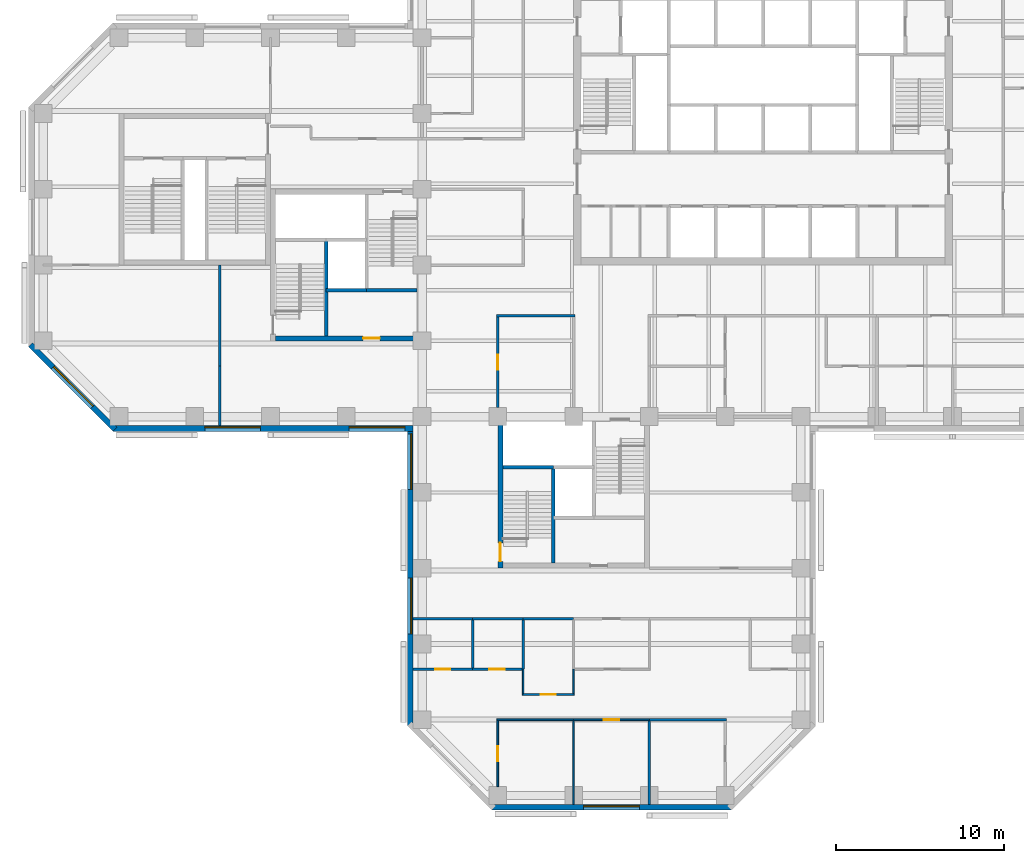
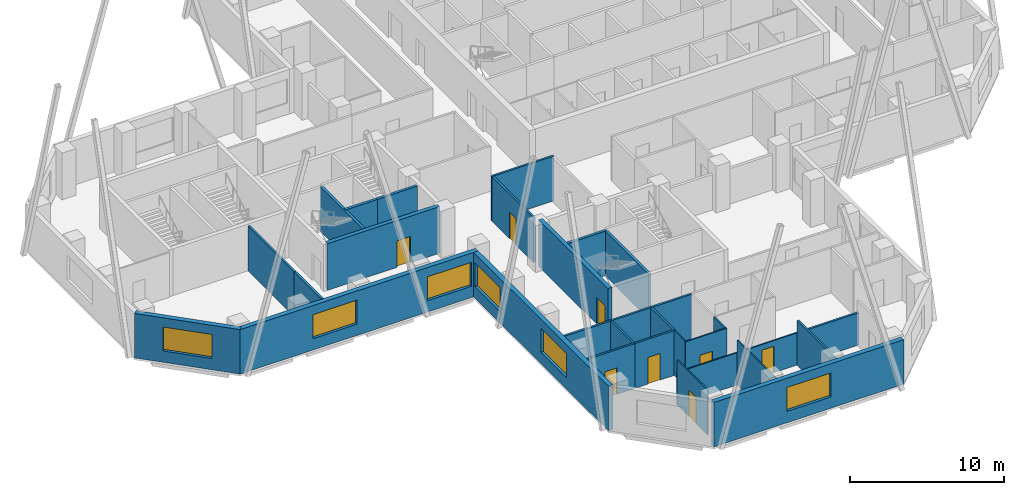
# One storey, part 3 of 11: 31 walls, 8 doors, 6 windows, 14 openings.
"""IFC4 building model written with IfcOpenShell, lengths in metres."""

from ifc_helpers import new_model, si_unit, direction, frame, frame_2d, origin, place, context, subcontext, project, spatial, rectangle, extrude, material, layer, layer_set, constituent, constituent_set, type_object, element, fill, save


model = new_model("IFC4")

# Units and contexts
model_context = context("Model", 3, precision=1e-05, world=origin(), true_north=direction((0.0, 1.0)))
body_context = subcontext(model_context, "Body", "Model", "MODEL_VIEW")
ifc_project = project(units=[si_unit("LENGTHUNIT", "METRE"), si_unit("AREAUNIT", "SQUARE_METRE"), si_unit("VOLUMEUNIT", "CUBIC_METRE"), si_unit("PLANEANGLEUNIT", "RADIAN"), si_unit("MASSUNIT", "GRAM", prefix="KILO")], contexts=[model_context])

# Site, building, storey
site_placement = place(None, origin())
site = spatial("IfcSite", under=ifc_project, at=site_placement, CompositionType="ELEMENT")
building_placement = place(site_placement, origin())
building = spatial("IfcBuilding", under=site, at=building_placement, Name="Quoin Convention Tower", CompositionType="ELEMENT")
storey_placement = place(building_placement, frame((0.0, 0.0, 127.0)))
storey = spatial("IfcBuildingStorey", under=building, at=storey_placement, Name="L33", CompositionType="ELEMENT", Elevation=127.0)

# Walls
ifc_material_1 = material(Name="Plasterboard")
ifc_layer_1 = layer(ifc_material_1, 0.012451171875, Name="Finish")
ifc_material_2 = material(Name="Steel stud framing", Category="steel")
ifc_layer_2 = layer(ifc_material_2, 0.125, Name="Structure")
ifc_layer_3 = layer(ifc_material_1, 0.012451171875, Name="Finish")
ifc_layer_set_1 = layer_set([ifc_layer_1, ifc_layer_2, ifc_layer_3], Name="Steel stud framing")
wall_type_1 = type_object("IfcWallType", Name="Acoustic partition 150", PredefinedType="PARTITIONING", material=ifc_layer_set_1)
wall_1_placement = place(storey_placement, frame((49.5, 17.47509765625, 0.0), z_axis=(0.0, 0.0, 1.0), x_axis=(0.0, 1.0, 0.0)))
element("IfcWall", 1, at=wall_1_placement, inside=storey, type_object=wall_type_1, Name="pw-L33-059", PredefinedType="PARTITIONING", context=body_context, shape_type="SweptSolid", body=[
    extrude(rectangle(XDim=4.949951171875, YDim=0.14990234375, at=frame_2d((2.47509765625, 0.0))), origin(), (0.0, 0.0, 1.0), 3.550048828125),
])
ifc_layer_4 = layer(ifc_material_1, 0.012451171875, Name="Finish")
ifc_layer_5 = layer(ifc_material_2, 0.125, Name="Structure")
ifc_layer_6 = layer(ifc_material_1, 0.012451171875, Name="Finish")
ifc_layer_set_2 = layer_set([ifc_layer_4, ifc_layer_5, ifc_layer_6], Name="Steel stud framing")
wall_type_2 = type_object("IfcWallType", Name="Acoustic partition 150 under beam 1000", PredefinedType="PARTITIONING", material=ifc_layer_set_2)
wall_2_placement = place(storey_placement, frame((49.5, 22.5, 0.0), z_axis=(0.0, 0.0, 1.0), x_axis=(1.0, 0.0, 0.0)))
element("IfcWall", 2, at=wall_2_placement, inside=storey, type_object=wall_type_2, Name="pw-L33-003", PredefinedType="PARTITIONING", context=body_context, shape_type="SweptSolid", body=[
    extrude(rectangle(XDim=4.574951171875, YDim=0.14990234375, at=frame_2d((2.28759765625, 0.0))), origin(), (0.0, 0.0, 1.0), 2.550048828125),
])

# Wall, opening, window
ifc_material_3 = material(Name="Brick masonry", Category="masonry")
ifc_layer_7 = layer(ifc_material_3, 0.35009765625)
ifc_layer_set_3 = layer_set([ifc_layer_7], Name="Brick masonry")
wall_type_3 = type_object("IfcWallType", Name="Brick facade wall", PredefinedType="STANDARD", material=ifc_layer_set_3)
wall_3_placement = place(storey_placement, frame((12.748779296875, 44.76123046875, 0.0), z_axis=(0.0, 0.0, 1.0), x_axis=(0.707106781187, -0.707106781187, 0.0)))
wall_3 = element("IfcWall", 3, at=wall_3_placement, inside=storey, type_object=wall_type_3, Name="fw-L33-13500_45000", PredefinedType="STANDARD", context=body_context, shape_type="SweptSolid", body=[
    extrude(rectangle(XDim=7.088623046875, YDim=0.35009765625, at=frame_2d((3.54443359375, 0.0))), origin(), (0.0, 0.0, 1.0), 3.52490234375),
])
opening_1_placement = place(wall_3_placement, frame((1.894287109375, 0.0, 0.89990234375)))
opening_1 = element("IfcOpeningElement", 4, at=opening_1_placement, cuts=wall_3, Name="Opening W-02", PredefinedType="OPENING", context=body_context, shape_type="SweptSolid", body=[
    extrude(rectangle(XDim=3.300048828125, YDim=1.89990234375, at=frame_2d((1.64990234375, 0.949951171875))), frame((0.0, 0.18505859375, 0.0), z_axis=(0.0, -1.0, 0.0), x_axis=(1.0, 0.0, 0.0)), (0.0, 0.0, 1.0), 0.3701171875),
])
ifc_material_4 = material(Name="Aluminium", Category="aluminium")
ifc_constituent_1 = constituent(ifc_material_4, Name="Frame")
ifc_material_5 = material(Name="Insulated glass", Category="glass")
ifc_constituent_2 = constituent(ifc_material_5, Name="Glazing")
ifc_constituent_set = constituent_set(constituents=[ifc_constituent_1, ifc_constituent_2], Name="Aluminium")
window_type = type_object("IfcWindowType", Name="Office window", PartitioningType="DOUBLE_PANEL_VERTICAL", PredefinedType="WINDOW", material=ifc_constituent_set)
window_1_placement = place(opening_1_placement, origin())
window_1 = element("IfcWindow", 5, at=window_1_placement, inside=storey, type_object=window_type, Name="win-L33-15255_42255", OverallHeight=1.89990234375, OverallWidth=3.300048828125, PartitioningType="SINGLE_PANEL", PredefinedType="WINDOW", context=body_context, shape_type="SweptSolid", body=[
    extrude(rectangle(XDim=3.300048828125, YDim=1.89990234375, at=frame_2d((1.64990234375, 0.949951171875))), frame((0.0, 0.0849609375, 0.0), z_axis=(0.0, -1.0, 0.0), x_axis=(1.0, 0.0, 0.0)), (0.0, 0.0, 1.0), 0.06005859375),
])
fill(opening_1, window_1)

# Wall, openings, windows
wall_4_placement = place(storey_placement, frame((17.6376953125, 39.800048828125, 0.0), z_axis=(0.0, 0.0, 1.0), x_axis=(1.0, 0.0, 0.0)))
wall_4 = element("IfcWall", 6, at=wall_4_placement, inside=storey, type_object=wall_type_3, Name="fw-L33-18000_40500", PredefinedType="STANDARD", context=body_context, shape_type="SweptSolid", body=[
    extrude(rectangle(XDim=17.83740234375, YDim=0.35009765625, at=frame_2d((8.918701171875, 0.0))), origin(), (0.0, 0.0, 1.0), 3.52490234375),
])
opening_2_placement = place(wall_4_placement, frame((5.46240234375, 0.0, 0.89990234375)))
opening_2 = element("IfcOpeningElement", 7, at=opening_2_placement, cuts=wall_4, Name="Opening W-02", PredefinedType="OPENING", context=body_context, shape_type="SweptSolid", body=[
    extrude(rectangle(XDim=3.300048828125, YDim=1.89990234375, at=frame_2d((1.64990234375, 0.949951171875))), frame((0.0, 0.18505859375, 0.0), z_axis=(0.0, -1.0, 0.0), x_axis=(1.0, 0.0, 0.0)), (0.0, 0.0, 1.0), 0.3701171875),
])
opening_3_placement = place(wall_4_placement, frame((14.037353515625, 0.0, 0.89990234375)))
opening_3 = element("IfcOpeningElement", 8, at=opening_3_placement, cuts=wall_4, Name="Opening W-02", PredefinedType="OPENING", context=body_context, shape_type="SweptSolid", body=[
    extrude(rectangle(XDim=3.300048828125, YDim=1.89990234375, at=frame_2d((1.64990234375, 0.949951171875))), frame((0.0, 0.18505859375, 0.0), z_axis=(0.0, -1.0, 0.0), x_axis=(1.0, 0.0, 0.0)), (0.0, 0.0, 1.0), 0.3701171875),
])
window_2_placement = place(opening_2_placement, origin())
window_2 = element("IfcWindow", 9, at=window_2_placement, inside=storey, type_object=window_type, Name="win-L33-24750_39800", OverallHeight=1.89990234375, OverallWidth=3.300048828125, PartitioningType="SINGLE_PANEL", PredefinedType="WINDOW", context=body_context, shape_type="SweptSolid", body=[
    extrude(rectangle(XDim=3.300048828125, YDim=1.89990234375, at=frame_2d((1.64990234375, 0.949951171875))), frame((0.0, 0.0849609375, 0.0), z_axis=(0.0, -1.0, 0.0), x_axis=(1.0, 0.0, 0.0)), (0.0, 0.0, 1.0), 0.06005859375),
])
fill(opening_2, window_2)
window_3_placement = place(opening_3_placement, origin())
window_3 = element("IfcWindow", 10, at=window_3_placement, inside=storey, type_object=window_type, Name="win-L33-33750_39800", OverallHeight=1.89990234375, OverallWidth=3.300048828125, PartitioningType="SINGLE_PANEL", PredefinedType="WINDOW", context=body_context, shape_type="SweptSolid", body=[
    extrude(rectangle(XDim=3.300048828125, YDim=1.89990234375, at=frame_2d((1.64990234375, 0.949951171875))), frame((0.0, 0.0849609375, 0.0), z_axis=(0.0, -1.0, 0.0), x_axis=(1.0, 0.0, 0.0)), (0.0, 0.0, 1.0), 0.06005859375),
])
fill(opening_3, window_3)

wall_5_placement = place(storey_placement, frame((35.300048828125, 39.97509765625, 0.0), z_axis=(0.0, 0.0, 1.0), x_axis=(0.0, -1.0, 0.0)))
wall_5 = element("IfcWall", 11, at=wall_5_placement, inside=storey, type_object=wall_type_3, Name="fw-L33-36000_40500", PredefinedType="STANDARD", context=body_context, shape_type="SweptSolid", body=[
    extrude(rectangle(XDim=17.83740234375, YDim=0.35009765625, at=frame_2d((8.918701171875, 0.0))), origin(), (0.0, 0.0, 1.0), 3.52490234375),
])
opening_4_placement = place(wall_5_placement, frame((0.5, 0.0, 0.89990234375)))
opening_4 = element("IfcOpeningElement", 12, at=opening_4_placement, cuts=wall_5, Name="Opening W-02", PredefinedType="OPENING", context=body_context, shape_type="SweptSolid", body=[
    extrude(rectangle(XDim=3.300048828125, YDim=1.89990234375, at=frame_2d((1.64990234375, 0.949951171875))), frame((0.0, 0.18505859375, 0.0), z_axis=(0.0, -1.0, 0.0), x_axis=(1.0, 0.0, 0.0)), (0.0, 0.0, 1.0), 0.3701171875),
])
opening_5_placement = place(wall_5_placement, frame((9.074951171875, 0.0, 0.89990234375)))
opening_5 = element("IfcOpeningElement", 13, at=opening_5_placement, cuts=wall_5, Name="Opening W-02", PredefinedType="OPENING", context=body_context, shape_type="SweptSolid", body=[
    extrude(rectangle(XDim=3.300048828125, YDim=1.89990234375, at=frame_2d((1.64990234375, 0.949951171875))), frame((0.0, 0.18505859375, 0.0), z_axis=(0.0, -1.0, 0.0), x_axis=(1.0, 0.0, 0.0)), (0.0, 0.0, 1.0), 0.3701171875),
])
window_4_placement = place(opening_4_placement, origin())
window_4 = element("IfcWindow", 14, at=window_4_placement, inside=storey, type_object=window_type, Name="win-L33-35300_38250", OverallHeight=1.89990234375, OverallWidth=3.300048828125, PartitioningType="SINGLE_PANEL", PredefinedType="WINDOW", context=body_context, shape_type="SweptSolid", body=[
    extrude(rectangle(XDim=3.300048828125, YDim=1.89990234375, at=frame_2d((1.64990234375, 0.949951171875))), frame((0.0, 0.0849609375, 0.0), z_axis=(0.0, -1.0, 0.0), x_axis=(1.0, 0.0, 0.0)), (0.0, 0.0, 1.0), 0.06005859375),
])
fill(opening_4, window_4)
window_5_placement = place(opening_5_placement, origin())
window_5 = element("IfcWindow", 15, at=window_5_placement, inside=storey, type_object=window_type, Name="win-L33-35300_29250", OverallHeight=1.89990234375, OverallWidth=3.300048828125, PartitioningType="SINGLE_PANEL", PredefinedType="WINDOW", context=body_context, shape_type="SweptSolid", body=[
    extrude(rectangle(XDim=3.300048828125, YDim=1.89990234375, at=frame_2d((1.64990234375, 0.949951171875))), frame((0.0, 0.0849609375, 0.0), z_axis=(0.0, -1.0, 0.0), x_axis=(1.0, 0.0, 0.0)), (0.0, 0.0, 1.0), 0.06005859375),
])
fill(opening_5, window_5)

# Wall, opening, window
wall_6_placement = place(storey_placement, frame((40.1376953125, 17.300048828125, 0.0), z_axis=(0.0, 0.0, 1.0), x_axis=(1.0, 0.0, 0.0)))
wall_6 = element("IfcWall", 16, at=wall_6_placement, inside=storey, type_object=wall_type_3, Name="fw-L33-40500_18000", PredefinedType="STANDARD", context=body_context, shape_type="SweptSolid", body=[
    extrude(rectangle(XDim=14.224609375, YDim=0.35009765625, at=frame_2d((7.1123046875, 0.0))), origin(), (0.0, 0.0, 1.0), 3.52490234375),
])
opening_6_placement = place(wall_6_placement, frame((5.46240234375, 0.0, 0.89990234375)))
opening_6 = element("IfcOpeningElement", 17, at=opening_6_placement, cuts=wall_6, Name="Opening W-02", PredefinedType="OPENING", context=body_context, shape_type="SweptSolid", body=[
    extrude(rectangle(XDim=3.300048828125, YDim=1.89990234375, at=frame_2d((1.64990234375, 0.949951171875))), frame((0.0, 0.18505859375, 0.0), z_axis=(0.0, -1.0, 0.0), x_axis=(1.0, 0.0, 0.0)), (0.0, 0.0, 1.0), 0.3701171875),
])
window_6_placement = place(opening_6_placement, origin())
window_6 = element("IfcWindow", 18, at=window_6_placement, inside=storey, type_object=window_type, Name="win-L33-47250_17300", OverallHeight=1.89990234375, OverallWidth=3.300048828125, PartitioningType="SINGLE_PANEL", PredefinedType="WINDOW", context=body_context, shape_type="SweptSolid", body=[
    extrude(rectangle(XDim=3.300048828125, YDim=1.89990234375, at=frame_2d((1.64990234375, 0.949951171875))), frame((0.0, 0.0849609375, 0.0), z_axis=(0.0, -1.0, 0.0), x_axis=(1.0, 0.0, 0.0)), (0.0, 0.0, 1.0), 0.06005859375),
])
fill(opening_6, window_6)

# Walls
ifc_material_6 = material(Name="Concrete C50", Category="concrete")
ifc_layer_8 = layer(ifc_material_6, 0.199951171875)
ifc_layer_set_4 = layer_set([ifc_layer_8], Name="Concrete C50")
wall_type_4 = type_object("IfcWallType", Name="Core shaft wall", PredefinedType="SOLIDWALL", material=ifc_layer_set_4)
wall_7_placement = place(storey_placement, frame((30.300048828125, 48.0, 0.0), z_axis=(0.0, 0.0, 1.0), x_axis=(1.0, 0.0, 0.0)))
element("IfcWall", 19, at=wall_7_placement, inside=storey, type_object=wall_type_4, Name="cr-P2-L33-h3000_3300", PredefinedType="SOLIDWALL", context=body_context, shape_type="SweptSolid", body=[
    extrude(rectangle(XDim=2.39990234375, YDim=0.199951171875, at=frame_2d((1.199951171875, 0.0))), origin(), (0.0, 0.0, 1.0), 3.550048828125),
])
wall_8_placement = place(storey_placement, frame((32.699951171875, 48.0, 0.0), z_axis=(0.0, 0.0, 1.0), x_axis=(1.0, 0.0, 0.0)))
element("IfcWall", 20, at=wall_8_placement, inside=storey, type_object=wall_type_4, Name="cr-P2-L33-h3000_5700", PredefinedType="SOLIDWALL", context=body_context, shape_type="SweptSolid", body=[
    extrude(rectangle(XDim=3.0, YDim=0.199951171875, at=frame_2d((1.5, 0.0))), origin(), (0.0, 0.0, 1.0), 3.550048828125),
])
wall_9_placement = place(storey_placement, frame((30.300048828125, 45.300048828125, 0.0), z_axis=(0.0, 0.0, 1.0), x_axis=(0.0, 1.0, 0.0)))
element("IfcWall", 21, at=wall_9_placement, inside=storey, type_object=wall_type_4, Name="cr-P2-L33-v3300_300", PredefinedType="SOLIDWALL", context=body_context, shape_type="SweptSolid", body=[
    extrude(rectangle(XDim=5.699951171875, YDim=0.199951171875, at=frame_2d((2.85009765625, 0.0))), origin(), (0.0, 0.0, 1.0), 3.550048828125),
])
wall_10_placement = place(storey_placement, frame((40.800048828125, 37.5, 0.0), z_axis=(0.0, 0.0, 1.0), x_axis=(1.0, 0.0, 0.0)))
element("IfcWall", 22, at=wall_10_placement, inside=storey, type_object=wall_type_4, Name="cr-P3-L33-h6000_300", PredefinedType="SOLIDWALL", context=body_context, shape_type="SweptSolid", body=[
    extrude(rectangle(XDim=3.0, YDim=0.199951171875, at=frame_2d((1.5, 0.0))), origin(), (0.0, 0.0, 1.0), 3.550048828125),
])
wall_11_placement = place(storey_placement, frame((43.800048828125, 31.800048828125, 0.0), z_axis=(0.0, 0.0, 1.0), x_axis=(0.0, 1.0, 0.0)))
element("IfcWall", 23, at=wall_11_placement, inside=storey, type_object=wall_type_4, Name="cr-P3-L33-v3300_300", PredefinedType="SOLIDWALL", context=body_context, shape_type="SweptSolid", body=[
    extrude(rectangle(XDim=5.699951171875, YDim=0.199951171875, at=frame_2d((2.85009765625, 0.0))), origin(), (0.0, 0.0, 1.0), 3.550048828125),
])
ifc_layer_9 = layer(ifc_material_1, 0.012451171875, Name="Finish")
ifc_layer_10 = layer(ifc_material_2, 0.125, Name="Structure")
ifc_layer_11 = layer(ifc_material_1, 0.012451171875, Name="Finish")
ifc_layer_set_5 = layer_set([ifc_layer_9, ifc_layer_10, ifc_layer_11], Name="Steel stud framing")
wall_type_5 = type_object("IfcWallType", Name="Corridor wall 150", PredefinedType="PARTITIONING", material=ifc_layer_set_5)
wall_12_placement = place(storey_placement, frame((35.47509765625, 28.5, 0.0), z_axis=(0.0, 0.0, 1.0), x_axis=(1.0, 0.0, 0.0)))
element("IfcWall", 24, at=wall_12_placement, inside=storey, type_object=wall_type_5, Name="pw-L33-009", PredefinedType="PARTITIONING", context=body_context, shape_type="SweptSolid", body=[
    extrude(rectangle(XDim=3.52490234375, YDim=0.14990234375, at=frame_2d((1.762451171875, 0.0))), origin(), (0.0, 0.0, 1.0), 3.550048828125),
])
for number, where, z_axis, x_axis, name in (
    (25, (39.0, 28.5, 0.0), (0.0, 0.0, 1.0), (1.0, 0.0, 0.0), "pw-L33-010"),
    (26, (42.0, 28.5, 0.0), (0.0, 0.0, 1.0), (1.0, 0.0, 0.0), "pw-L33-011"),
):
    element("IfcWall", number, at=place(storey_placement, frame(where, z_axis=z_axis, x_axis=x_axis)), inside=storey, type_object=wall_type_5, Name=name, PredefinedType="PARTITIONING", context=body_context, shape_type="SweptSolid", body=[
        extrude(rectangle(XDim=3.0, YDim=0.14990234375, at=frame_2d((1.5, 0.0))), origin(), (0.0, 0.0, 1.0), 3.550048828125),
    ])
wall_13_placement = place(storey_placement, frame((40.425048828125, 46.5, 0.0), z_axis=(0.0, 0.0, 1.0), x_axis=(1.0, 0.0, 0.0)))
element("IfcWall", 27, at=wall_13_placement, inside=storey, type_object=wall_type_5, Name="pw-L33-023", PredefinedType="PARTITIONING", context=body_context, shape_type="SweptSolid", body=[
    extrude(rectangle(XDim=4.64990234375, YDim=0.14990234375, at=frame_2d((2.324951171875, 0.0))), origin(), (0.0, 0.0, 1.0), 3.550048828125),
])
wall_14_placement = place(storey_placement, frame((24.0, 39.97509765625, 0.0), z_axis=(0.0, 0.0, 1.0), x_axis=(0.0, 1.0, 0.0)))
element("IfcWall", 28, at=wall_14_placement, inside=storey, type_object=wall_type_5, Name="pw-L33-070", PredefinedType="PARTITIONING", context=body_context, shape_type="SweptSolid", body=[
    extrude(rectangle(XDim=3.52490234375, YDim=0.14990234375, at=frame_2d((1.762451171875, 0.0))), origin(), (0.0, 0.0, 1.0), 3.550048828125),
])

# Wall, opening, door
wall_15_placement = place(storey_placement, frame((40.5, 41.02490234375, 0.0), z_axis=(0.0, 0.0, 1.0), x_axis=(0.0, 1.0, 0.0)))
wall_15 = element("IfcWall", 29, at=wall_15_placement, inside=storey, type_object=wall_type_5, Name="pw-L33-073", PredefinedType="PARTITIONING", context=body_context, shape_type="SweptSolid", body=[
    extrude(rectangle(XDim=5.400146484375, YDim=0.14990234375, at=frame_2d((2.7001953125, 0.0))), origin(), (0.0, 0.0, 1.0), 3.550048828125),
])
opening_7_placement = place(wall_15_placement, frame((2.25, 0.0, 0.0)))
opening_7 = element("IfcOpeningElement", 30, at=opening_7_placement, cuts=wall_15, Name="Opening DOL7-27", PredefinedType="OPENING", context=body_context, shape_type="SweptSolid", body=[
    extrude(rectangle(XDim=0.89990234375, YDim=2.10009765625, at=frame_2d((0.449951171875, 1.050048828125))), frame((0.0, 0.0849609375, 0.0), z_axis=(0.0, -1.0, 0.0), x_axis=(1.0, 0.0, 0.0)), (0.0, 0.0, 1.0), 0.169921875),
])
ifc_material_7 = material(Name="Steel door leaf", Category="steel")
door_type_1 = type_object("IfcDoorType", Name="Office door 900 x 2100", OperationType="SINGLE_SWING_RIGHT", PredefinedType="DOOR", material=ifc_material_7)
door_1_placement = place(opening_7_placement, frame((0.89990234375, 0.0, 0.0), z_axis=(0.0, 0.0, 1.0), x_axis=(-1.0, 0.0, 0.0)))
door_1 = element("IfcDoor", 31, at=door_1_placement, inside=storey, type_object=door_type_1, Name="dr-L33-02", OperationType="SINGLE_SWING_LEFT", OverallHeight=2.10009765625, OverallWidth=0.89990234375, PredefinedType="DOOR", context=body_context, shape_type="SweptSolid", body=[
    extrude(rectangle(XDim=0.89990234375, YDim=2.10009765625, at=frame_2d((0.449951171875, 1.050048828125))), frame((0.0, 0.02490234375, 0.0), z_axis=(0.0, -1.0, 0.0), x_axis=(1.0, 0.0, 0.0)), (0.0, 0.0, 1.0), 0.050048828125),
])
fill(opening_7, door_1)

# Wall
wall_16_placement = place(storey_placement, frame((24.0, 43.5, 0.0), z_axis=(0.0, 0.0, 1.0), x_axis=(0.0, 1.0, 0.0)))
element("IfcWall", 32, at=wall_16_placement, inside=storey, type_object=wall_type_5, Name="pw-L33-078", PredefinedType="PARTITIONING", context=body_context, shape_type="SweptSolid", body=[
    extrude(rectangle(XDim=6.0, YDim=0.14990234375, at=frame_2d((3.0, 0.0))), origin(), (0.0, 0.0, 1.0), 3.550048828125),
])

# Wall, opening, door
ifc_material_8 = material(Name="Concrete C65", Category="concrete")
ifc_layer_12 = layer(ifc_material_8, 0.300048828125)
ifc_layer_set_6 = layer_set([ifc_layer_12], Name="Concrete C65")
wall_type_6 = type_object("IfcWallType", Name="RC CORE WALL 300 C65", PredefinedType="SHEAR", material=ifc_layer_set_6)
wall_17_placement = place(storey_placement, frame((27.300048828125, 45.14990234375, 0.0), z_axis=(0.0, 0.0, 1.0), x_axis=(1.0, 0.0, 0.0)))
wall_17 = element("IfcWall", 33, at=wall_17_placement, inside=storey, type_object=wall_type_6, Name="cwl-P2-L33-S", PredefinedType="SHEAR", context=body_context, shape_type="SweptSolid", body=[
    extrude(rectangle(XDim=8.39990234375, YDim=0.300048828125, at=frame_2d((4.199951171875, 0.0))), origin(), (0.0, 0.0, 1.0), 3.699951171875),
])
opening_8_placement = place(wall_17_placement, frame((5.199951171875, 0.0, 0.0)))
opening_8 = element("IfcOpeningElement", 34, at=opening_8_placement, cuts=wall_17, Name="Opening DCV5-51", PredefinedType="OPENING", context=body_context, shape_type="SweptSolid", body=[
    extrude(rectangle(XDim=1.0, YDim=2.10009765625, at=frame_2d((0.5, 1.050048828125))), frame((0.0, 0.159912109375, 0.0), z_axis=(0.0, -1.0, 0.0), x_axis=(1.0, 0.0, 0.0)), (0.0, 0.0, 1.0), 0.320068359375),
])
door_type_2 = type_object("IfcDoorType", Name="Service door 1000 x 2100", OperationType="SINGLE_SWING_LEFT", PredefinedType="DOOR", material=ifc_material_7)
door_2_placement = place(opening_8_placement, origin())
door_2 = element("IfcDoor", 35, at=door_2_placement, inside=storey, type_object=door_type_2, Name="cd-P2-L33-R2-S", OperationType="SINGLE_SWING_LEFT", OverallHeight=2.10009765625, OverallWidth=1.0, PredefinedType="DOOR", context=body_context, shape_type="SweptSolid", body=[
    extrude(rectangle(XDim=1.0, YDim=2.10009765625, at=frame_2d((0.5, 1.050048828125))), frame((0.0, 0.02490234375, 0.0), z_axis=(0.0, -1.0, 0.0), x_axis=(1.0, 0.0, 0.0)), (0.0, 0.0, 1.0), 0.050048828125),
])
fill(opening_8, door_2)

wall_18_placement = place(storey_placement, frame((40.64990234375, 31.5, 0.0), z_axis=(0.0, 0.0, 1.0), x_axis=(0.0, 1.0, 0.0)))
wall_18 = element("IfcWall", 36, at=wall_18_placement, inside=storey, type_object=wall_type_6, Name="cwl-P3-L33-W", PredefinedType="SHEAR", context=body_context, shape_type="SweptSolid", body=[
    extrude(rectangle(XDim=9.0, YDim=0.300048828125, at=frame_2d((4.5, 0.0))), origin(), (0.0, 0.0, 1.0), 3.699951171875),
])
opening_9_placement = place(wall_18_placement, frame((0.39990234375, 0.0, 0.0)))
opening_9 = element("IfcOpeningElement", 37, at=opening_9_placement, cuts=wall_18, Name="Opening SD5", PredefinedType="OPENING", context=body_context, shape_type="SweptSolid", body=[
    extrude(rectangle(XDim=1.10009765625, YDim=2.10009765625, at=frame_2d((0.550048828125, 1.050048828125))), frame((0.0, 0.159912109375, 0.0), z_axis=(0.0, -1.0, 0.0), x_axis=(1.0, 0.0, 0.0)), (0.0, 0.0, 1.0), 0.320068359375),
])
door_type_3 = type_object("IfcDoorType", Name="Stair door 1100 x 2100", OperationType="SINGLE_SWING_RIGHT", PredefinedType="DOOR", material=ifc_material_7)
door_3_placement = place(opening_9_placement, frame((1.10009765625, 0.0, 0.0), z_axis=(0.0, 0.0, 1.0), x_axis=(-1.0, 0.0, 0.0)))
door_3 = element("IfcDoor", 38, at=door_3_placement, inside=storey, type_object=door_type_3, Name="cd-P3-L33-SA-W", OperationType="SINGLE_SWING_RIGHT", OverallHeight=2.10009765625, OverallWidth=1.10009765625, PredefinedType="DOOR", context=body_context, shape_type="SweptSolid", body=[
    extrude(rectangle(XDim=1.10009765625, YDim=2.10009765625, at=frame_2d((0.550048828125, 1.050048828125))), frame((0.0, 0.02490234375, 0.0), z_axis=(0.0, -1.0, 0.0), x_axis=(1.0, 0.0, 0.0)), (0.0, 0.0, 1.0), 0.050048828125),
])
fill(opening_9, door_3)

ifc_layer_13 = layer(ifc_material_1, 0.012451171875, Name="Finish")
ifc_layer_14 = layer(ifc_material_2, 0.074951171875, Name="Structure")
ifc_layer_15 = layer(ifc_material_1, 0.012451171875, Name="Finish")
ifc_layer_set_7 = layer_set([ifc_layer_13, ifc_layer_14, ifc_layer_15], Name="Steel stud framing")
wall_type_7 = type_object("IfcWallType", Name="Stud partition 100", PredefinedType="PARTITIONING", material=ifc_layer_set_7)
wall_19_placement = place(storey_placement, frame((41.949951171875, 24.0, 0.0), z_axis=(0.0, 0.0, 1.0), x_axis=(1.0, 0.0, 0.0)))
wall_19 = element("IfcWall", 39, at=wall_19_placement, inside=storey, type_object=wall_type_7, Name="pw-L33-004", PredefinedType="PARTITIONING", context=body_context, shape_type="SweptSolid", body=[
    extrude(rectangle(XDim=3.10009765625, YDim=0.10009765625, at=frame_2d((1.550048828125, 0.0))), origin(), (0.0, 0.0, 1.0), 3.550048828125),
])
opening_10_placement = place(wall_19_placement, frame((1.10009765625, 0.0, 0.0)))
opening_10 = element("IfcOpeningElement", 40, at=opening_10_placement, cuts=wall_19, Name="Opening DOL7-02", PredefinedType="OPENING", context=body_context, shape_type="SweptSolid", body=[
    extrude(rectangle(XDim=0.89990234375, YDim=2.10009765625, at=frame_2d((0.449951171875, 1.050048828125))), frame((0.0, 0.06005859375, 0.0), z_axis=(0.0, -1.0, 0.0), x_axis=(1.0, 0.0, 0.0)), (0.0, 0.0, 1.0), 0.1201171875),
])
door_4_placement = place(opening_10_placement, frame((0.89990234375, 0.0, 0.0), z_axis=(0.0, 0.0, 1.0), x_axis=(-1.0, 0.0, 0.0)))
door_4 = element("IfcDoor", 41, at=door_4_placement, inside=storey, type_object=door_type_1, Name="dr-L33-15", OperationType="SINGLE_SWING_LEFT", OverallHeight=2.10009765625, OverallWidth=0.89990234375, PredefinedType="DOOR", context=body_context, shape_type="SweptSolid", body=[
    extrude(rectangle(XDim=0.89990234375, YDim=2.10009765625, at=frame_2d((0.449951171875, 1.050048828125))), frame((0.0, 0.02490234375, 0.0), z_axis=(0.0, -1.0, 0.0), x_axis=(1.0, 0.0, 0.0)), (0.0, 0.0, 1.0), 0.050048828125),
])
fill(opening_10, door_4)

# Wall
wall_20_placement = place(storey_placement, frame((45.0, 17.47509765625, 0.0), z_axis=(0.0, 0.0, 1.0), x_axis=(0.0, 1.0, 0.0)))
element("IfcWall", 42, at=wall_20_placement, inside=storey, type_object=wall_type_7, Name="pw-L33-058", PredefinedType="PARTITIONING", context=body_context, shape_type="SweptSolid", body=[
    extrude(rectangle(XDim=4.974853515625, YDim=0.10009765625, at=frame_2d((2.4873046875, 0.0))), origin(), (0.0, 0.0, 1.0), 3.550048828125),
])

# Wall, opening, door
wall_21_placement = place(storey_placement, frame((40.5, 18.52490234375, 0.0), z_axis=(0.0, 0.0, 1.0), x_axis=(0.0, 1.0, 0.0)))
wall_21 = element("IfcWall", 43, at=wall_21_placement, inside=storey, type_object=wall_type_7, Name="pw-L33-060", PredefinedType="PARTITIONING", context=body_context, shape_type="SweptSolid", body=[
    extrude(rectangle(XDim=3.925048828125, YDim=0.10009765625, at=frame_2d((1.96240234375, 0.0))), origin(), (0.0, 0.0, 1.0), 3.550048828125),
])
opening_11_placement = place(wall_21_placement, frame((1.5, 0.0, 0.0)))
opening_11 = element("IfcOpeningElement", 44, at=opening_11_placement, cuts=wall_21, Name="Opening DOL7-25", PredefinedType="OPENING", context=body_context, shape_type="SweptSolid", body=[
    extrude(rectangle(XDim=0.89990234375, YDim=2.10009765625, at=frame_2d((0.449951171875, 1.050048828125))), frame((0.0, 0.06005859375, 0.0), z_axis=(0.0, -1.0, 0.0), x_axis=(1.0, 0.0, 0.0)), (0.0, 0.0, 1.0), 0.1201171875),
])
door_5_placement = place(opening_11_placement, origin())
door_5 = element("IfcDoor", 45, at=door_5_placement, inside=storey, type_object=door_type_1, Name="dr-L33-11", OperationType="SINGLE_SWING_RIGHT", OverallHeight=2.10009765625, OverallWidth=0.89990234375, PredefinedType="DOOR", context=body_context, shape_type="SweptSolid", body=[
    extrude(rectangle(XDim=0.89990234375, YDim=2.10009765625, at=frame_2d((0.449951171875, 1.050048828125))), frame((0.0, 0.02490234375, 0.0), z_axis=(0.0, -1.0, 0.0), x_axis=(1.0, 0.0, 0.0)), (0.0, 0.0, 1.0), 0.050048828125),
])
fill(opening_11, door_5)

# Walls
for number, where, z_axis, x_axis, name in (
    (46, (42.0, 24.050048828125, 0.0), (0.0, 0.0, 1.0), (0.0, 1.0, 0.0), "pw-L33-062"),
    (47, (45.0, 24.050048828125, 0.0), (0.0, 0.0, 1.0), (0.0, 1.0, 0.0), "pw-L33-063"),
):
    element("IfcWall", number, at=place(storey_placement, frame(where, z_axis=z_axis, x_axis=x_axis)), inside=storey, type_object=wall_type_7, Name=name, PredefinedType="PARTITIONING", context=body_context, shape_type="SweptSolid", body=[
        extrude(rectangle(XDim=1.449951171875, YDim=0.10009765625, at=frame_2d((0.72509765625, 0.0))), origin(), (0.0, 0.0, 1.0), 3.550048828125),
    ])
ifc_layer_16 = layer(ifc_material_1, 0.012451171875, Name="Finish")
ifc_layer_17 = layer(ifc_material_2, 0.074951171875, Name="Structure")
ifc_layer_18 = layer(ifc_material_1, 0.012451171875, Name="Finish")
ifc_layer_set_8 = layer_set([ifc_layer_16, ifc_layer_17, ifc_layer_18], Name="Steel stud framing")
wall_type_8 = type_object("IfcWallType", Name="Stud partition 100 under beam 1000", PredefinedType="PARTITIONING", material=ifc_layer_set_8)
wall_22_placement = place(storey_placement, frame((40.449951171875, 22.5, 0.0), z_axis=(0.0, 0.0, 1.0), x_axis=(1.0, 0.0, 0.0)))
element("IfcWall", 48, at=wall_22_placement, inside=storey, type_object=wall_type_8, Name="pw-L33-001", PredefinedType="PARTITIONING", context=body_context, shape_type="SweptSolid", body=[
    extrude(rectangle(XDim=4.550048828125, YDim=0.10009765625, at=frame_2d((2.27490234375, 0.0))), origin(), (0.0, 0.0, 1.0), 2.550048828125),
])

# Wall, opening, door
wall_23_placement = place(storey_placement, frame((45.0, 22.5, 0.0), z_axis=(0.0, 0.0, 1.0), x_axis=(1.0, 0.0, 0.0)))
wall_23 = element("IfcWall", 49, at=wall_23_placement, inside=storey, type_object=wall_type_8, Name="pw-L33-002", PredefinedType="PARTITIONING", context=body_context, shape_type="SweptSolid", body=[
    extrude(rectangle(XDim=4.5, YDim=0.10009765625, at=frame_2d((2.25, 0.0))), origin(), (0.0, 0.0, 1.0), 2.550048828125),
])
opening_12_placement = place(wall_23_placement, frame((1.800048828125, 0.0, 0.0)))
opening_12 = element("IfcOpeningElement", 50, at=opening_12_placement, cuts=wall_23, Name="Opening DOL7-01", PredefinedType="OPENING", context=body_context, shape_type="SweptSolid", body=[
    extrude(rectangle(XDim=0.89990234375, YDim=2.10009765625, at=frame_2d((0.449951171875, 1.050048828125))), frame((0.0, 0.06005859375, 0.0), z_axis=(0.0, -1.0, 0.0), x_axis=(1.0, 0.0, 0.0)), (0.0, 0.0, 1.0), 0.1201171875),
])
door_6_placement = place(opening_12_placement, origin())
door_6 = element("IfcDoor", 51, at=door_6_placement, inside=storey, type_object=door_type_1, Name="dr-L33-12", OperationType="SINGLE_SWING_RIGHT", OverallHeight=2.10009765625, OverallWidth=0.89990234375, PredefinedType="DOOR", context=body_context, shape_type="SweptSolid", body=[
    extrude(rectangle(XDim=0.89990234375, YDim=2.10009765625, at=frame_2d((0.449951171875, 1.050048828125))), frame((0.0, 0.02490234375, 0.0), z_axis=(0.0, -1.0, 0.0), x_axis=(1.0, 0.0, 0.0)), (0.0, 0.0, 1.0), 0.050048828125),
])
fill(opening_12, door_6)

ifc_layer_19 = layer(ifc_material_1, 0.012451171875, Name="Finish")
ifc_layer_20 = layer(ifc_material_2, 0.125, Name="Structure")
ifc_layer_21 = layer(ifc_material_1, 0.012451171875, Name="Finish")
ifc_layer_set_9 = layer_set([ifc_layer_19, ifc_layer_20, ifc_layer_21], Name="Steel stud framing")
wall_type_9 = type_object("IfcWallType", Name="Wet area partition 150", PredefinedType="PARTITIONING", material=ifc_layer_set_9)
wall_24_placement = place(storey_placement, frame((35.47509765625, 25.5, 0.0), z_axis=(0.0, 0.0, 1.0), x_axis=(1.0, 0.0, 0.0)))
wall_24 = element("IfcWall", 52, at=wall_24_placement, inside=storey, type_object=wall_type_9, Name="pw-L33-005", PredefinedType="PARTITIONING", context=body_context, shape_type="SweptSolid", body=[
    extrude(rectangle(XDim=3.52490234375, YDim=0.14990234375, at=frame_2d((1.762451171875, 0.0))), origin(), (0.0, 0.0, 1.0), 3.550048828125),
])
opening_13_placement = place(wall_24_placement, frame((1.300048828125, 0.0, 0.0)))
opening_13 = element("IfcOpeningElement", 53, at=opening_13_placement, cuts=wall_24, Name="Opening DOL7-03", PredefinedType="OPENING", context=body_context, shape_type="SweptSolid", body=[
    extrude(rectangle(XDim=0.89990234375, YDim=2.10009765625, at=frame_2d((0.449951171875, 1.050048828125))), frame((0.0, 0.0849609375, 0.0), z_axis=(0.0, -1.0, 0.0), x_axis=(1.0, 0.0, 0.0)), (0.0, 0.0, 1.0), 0.169921875),
])
door_7_placement = place(opening_13_placement, frame((0.89990234375, 0.0, 0.0), z_axis=(0.0, 0.0, 1.0), x_axis=(-1.0, 0.0, 0.0)))
door_7 = element("IfcDoor", 54, at=door_7_placement, inside=storey, type_object=door_type_1, Name="dr-L33-16", OperationType="SINGLE_SWING_LEFT", OverallHeight=2.10009765625, OverallWidth=0.89990234375, PredefinedType="DOOR", context=body_context, shape_type="SweptSolid", body=[
    extrude(rectangle(XDim=0.89990234375, YDim=2.10009765625, at=frame_2d((0.449951171875, 1.050048828125))), frame((0.0, 0.02490234375, 0.0), z_axis=(0.0, -1.0, 0.0), x_axis=(1.0, 0.0, 0.0)), (0.0, 0.0, 1.0), 0.050048828125),
])
fill(opening_13, door_7)

wall_25_placement = place(storey_placement, frame((39.0, 25.5, 0.0), z_axis=(0.0, 0.0, 1.0), x_axis=(1.0, 0.0, 0.0)))
wall_25 = element("IfcWall", 55, at=wall_25_placement, inside=storey, type_object=wall_type_9, Name="pw-L33-006", PredefinedType="PARTITIONING", context=body_context, shape_type="SweptSolid", body=[
    extrude(rectangle(XDim=2.925048828125, YDim=0.14990234375, at=frame_2d((1.46240234375, 0.0))), origin(), (0.0, 0.0, 1.0), 3.550048828125),
])
opening_14_placement = place(wall_25_placement, frame((1.0, 0.0, 0.0)))
opening_14 = element("IfcOpeningElement", 56, at=opening_14_placement, cuts=wall_25, Name="Opening DOL7-04", PredefinedType="OPENING", context=body_context, shape_type="SweptSolid", body=[
    extrude(rectangle(XDim=0.89990234375, YDim=2.10009765625, at=frame_2d((0.449951171875, 1.050048828125))), frame((0.0, 0.0849609375, 0.0), z_axis=(0.0, -1.0, 0.0), x_axis=(1.0, 0.0, 0.0)), (0.0, 0.0, 1.0), 0.169921875),
])
door_8_placement = place(opening_14_placement, frame((0.89990234375, 0.0, 0.0), z_axis=(0.0, 0.0, 1.0), x_axis=(-1.0, 0.0, 0.0)))
door_8 = element("IfcDoor", 57, at=door_8_placement, inside=storey, type_object=door_type_1, Name="dr-L33-10", OperationType="SINGLE_SWING_LEFT", OverallHeight=2.10009765625, OverallWidth=0.89990234375, PredefinedType="DOOR", context=body_context, shape_type="SweptSolid", body=[
    extrude(rectangle(XDim=0.89990234375, YDim=2.10009765625, at=frame_2d((0.449951171875, 1.050048828125))), frame((0.0, 0.02490234375, 0.0), z_axis=(0.0, -1.0, 0.0), x_axis=(1.0, 0.0, 0.0)), (0.0, 0.0, 1.0), 0.050048828125),
])
fill(opening_14, door_8)

# Walls
wall_26_placement = place(storey_placement, frame((42.0, 25.5, 0.0), z_axis=(0.0, 0.0, 1.0), x_axis=(0.0, 1.0, 0.0)))
element("IfcWall", 58, at=wall_26_placement, inside=storey, type_object=wall_type_9, Name="pw-L33-064", PredefinedType="PARTITIONING", context=body_context, shape_type="SweptSolid", body=[
    extrude(rectangle(XDim=2.925048828125, YDim=0.14990234375, at=frame_2d((1.46240234375, 0.0))), origin(), (0.0, 0.0, 1.0), 3.550048828125),
])
wall_27_placement = place(storey_placement, frame((39.0, 25.574951171875, 0.0), z_axis=(0.0, 0.0, 1.0), x_axis=(0.0, 1.0, 0.0)))
element("IfcWall", 59, at=wall_27_placement, inside=storey, type_object=wall_type_9, Name="pw-L33-067", PredefinedType="PARTITIONING", context=body_context, shape_type="SweptSolid", body=[
    extrude(rectangle(XDim=2.85009765625, YDim=0.14990234375, at=frame_2d((1.425048828125, 0.0))), origin(), (0.0, 0.0, 1.0), 3.550048828125),
])

save(model, "model.ifc")
